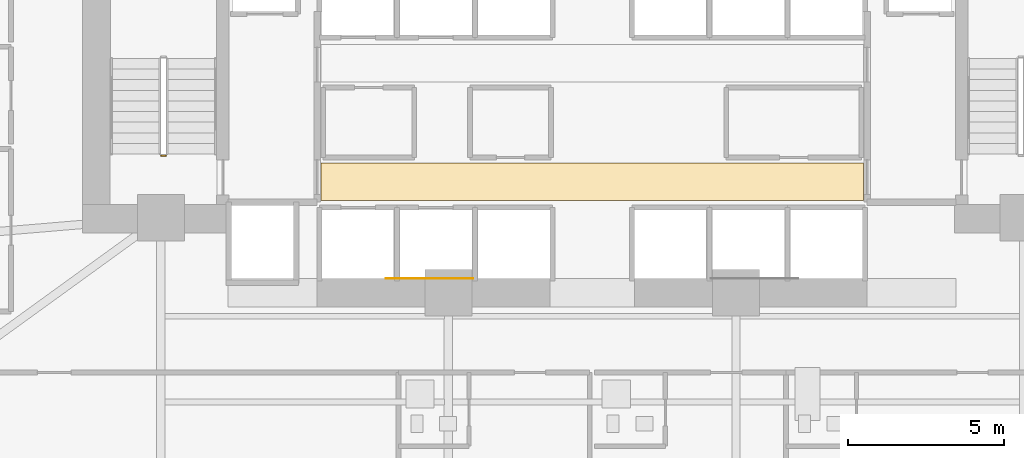
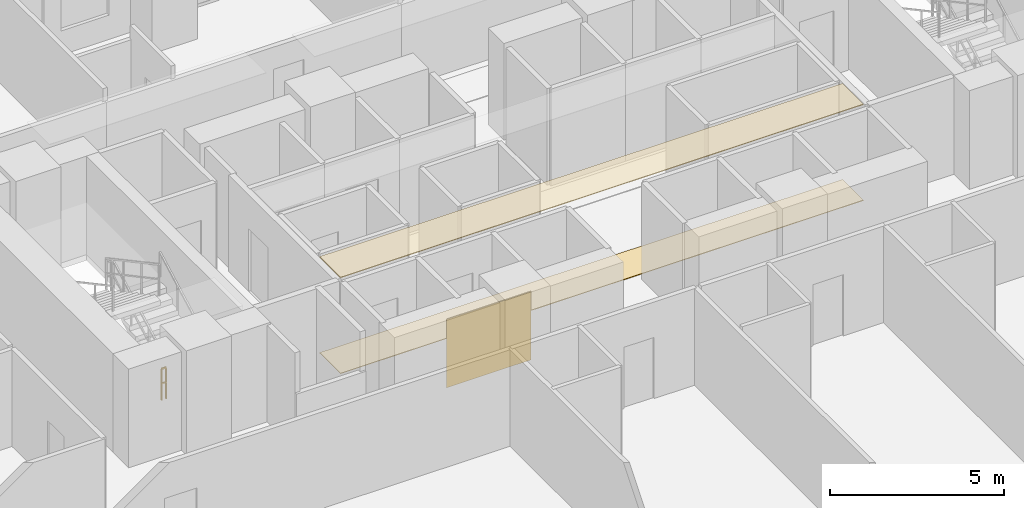
# One storey, part 25 of 30: 3 coverings, 1 railing.
"""IFC4 building model written with IfcOpenShell, lengths in metres."""

from ifc_helpers import new_model, si_unit, direction, frame, origin, origin_2d, place, context, subcontext, project, spatial, polyline, rectangle, outline, extrude, material, layer, layer_set, type_object, element, save


model = new_model("IFC4")

# Units and contexts
model_context = context("Model", 3, precision=1e-05, world=origin(), true_north=direction((0.0, 1.0)))
body_context = subcontext(model_context, "Body", "Model", "MODEL_VIEW")
ifc_project = project(units=[si_unit("LENGTHUNIT", "METRE"), si_unit("AREAUNIT", "SQUARE_METRE"), si_unit("VOLUMEUNIT", "CUBIC_METRE"), si_unit("PLANEANGLEUNIT", "RADIAN"), si_unit("MASSUNIT", "GRAM", prefix="KILO")], contexts=[model_context])

# Site, building, storey
site_placement = place(None, origin())
site = spatial("IfcSite", under=ifc_project, at=site_placement, CompositionType="ELEMENT")
building_placement = place(site_placement, origin())
building = spatial("IfcBuilding", under=site, at=building_placement, Name="Zuhayl Quay Hotel", CompositionType="ELEMENT")
storey_placement = place(building_placement, frame((0.0, 0.0, 86.0)))
storey = spatial("IfcBuildingStorey", under=building, at=storey_placement, Name="L21", CompositionType="ELEMENT", Elevation=86.0)

# Coverings
ifc_material_1 = material(Name="Acoustic Mineral-Fibre Gypsum Board")
ifc_layer_1 = layer(ifc_material_1, 0.02490234375, Name="Acoustic Mineral-Fibre Gypsum Board")
ifc_layer_set_1 = layer_set([ifc_layer_1], Name="Acoustic Mineral-Fibre Gypsum Board")
covering_type_1 = type_object("IfcCoveringType", Name="CV_CEIL_ACOUSTIC", PredefinedType="CEILING", material=ifc_layer_set_1)
covering_1_placement = place(storey_placement, frame((0.0, 0.0, 3.364990234375)))
element("IfcCovering", 1, at=covering_1_placement, inside=storey, type_object=covering_type_1, Name="L21 Suspended Acoustic Lobby Ceiling S", PredefinedType="CEILING", context=body_context, shape_type="SweptSolid", body=[
    extrude(outline(polyline([(-8.679931640625, 5.10009765625), (8.679931640625, 5.10009765625), (8.679931640625, 6.300048828125), (-8.679931640625, 6.300048828125), (-8.679931640625, 5.10009765625)])), origin(), (0.0, 0.0, 1.0), 0.02490234375),
])
ifc_material_2 = material(Name="Polished Limestone Terrazzo", Category="masonry")
ifc_layer_2 = layer(ifc_material_2, 0.02001953125, Name="Polished Limestone Terrazzo", Category="masonry")
ifc_layer_set_2 = layer_set([ifc_layer_2], Name="Polished Limestone Terrazzo")
covering_type_2 = type_object("IfcCoveringType", Name="CV_FLOOR_TERRAZZO", PredefinedType="FLOORING", material=ifc_layer_set_2)
covering_2_placement = place(storey_placement, origin())
element("IfcCovering", 2, at=covering_2_placement, inside=storey, type_object=covering_type_2, Name="L21 Honed Limestone Terrazzo Lobby Flooring S", PredefinedType="FLOORING", context=body_context, shape_type="SweptSolid", body=[
    extrude(outline(polyline([(-8.679931640625, 5.10009765625), (8.679931640625, 5.10009765625), (8.679931640625, 6.300048828125), (-8.679931640625, 6.300048828125), (-8.679931640625, 5.10009765625)])), origin(), (0.0, 0.0, 1.0), 0.02001953125),
])
ifc_material_3 = material(Name="Acoustic Walnut Feature Timber", Category="wood")
ifc_layer_3 = layer(ifc_material_3, 0.02197265625, Name="Acoustic Walnut Feature Timber", Category="wood")
ifc_layer_set_3 = layer_set([ifc_layer_3], Name="Acoustic Walnut Feature Timber")
covering_type_3 = type_object("IfcCoveringType", Name="CV_WALL_CLAD", PredefinedType="CLADDING", material=ifc_layer_set_3)
covering_3_placement = place(storey_placement, frame((-5.199951171875, 2.611083984375, 0.300048828125), z_axis=(0.0, 0.0, 1.0), x_axis=(1.0, 0.0, 0.0)))
element("IfcCovering", 3, at=covering_3_placement, inside=storey, type_object=covering_type_3, Name="L21 Feature Lobby Walnut Wall Cladding W", PredefinedType="CLADDING", context=body_context, shape_type="SweptSolid", body=[
    extrude(rectangle(XDim=2.800048828125, YDim=0.02197265625, at=origin_2d()), origin(), (0.0, 0.0, 1.0), 2.39990234375),
])

# Railing
ifc_material_4 = material(Name="Steel ASTM A992 Grade 50", Category="steel")
railing_type = type_object("IfcRailingType", Name="RL_GUARD_1100", PredefinedType="GUARDRAIL", material=ifc_material_4)
railing_placement = place(storey_placement, frame((-13.639892578125, 6.5400390625, 0.0)))
element("IfcRailing", 4, at=railing_placement, inside=storey, type_object=railing_type, Name="L21 ST1 stair guard 4", PredefinedType="GUARDRAIL", context=body_context, shape_type="SweptSolid", body=[
    extrude(rectangle(XDim=0.048095703125, YDim=0.048095703125, at=origin_2d()), frame((0.0, 0.0, 1.09619140625), z_axis=(-1.0, 0.0, 0.0), x_axis=(0.0, -1.0, 0.0)), (0.0, 0.0, 1.0), 0.150146484375),
    extrude(rectangle(XDim=0.0361328125, YDim=0.0361328125, at=origin_2d()), frame((0.0, 0.0, 0.58251953125), z_axis=(-1.0, 0.0, 0.0), x_axis=(0.0, -1.0, 0.0)), (0.0, 0.0, 1.0), 0.150146484375),
    extrude(rectangle(XDim=0.0419921875, YDim=0.0419921875, at=origin_2d()), origin(), (0.0, 0.0, 1.0), 1.072021484375),
    extrude(rectangle(XDim=0.0419921875, YDim=0.0419921875, at=origin_2d()), frame((-0.150146484375, 0.0, 0.0)), (0.0, 0.0, 1.0), 1.072021484375),
])

save(model, "model.ifc")
